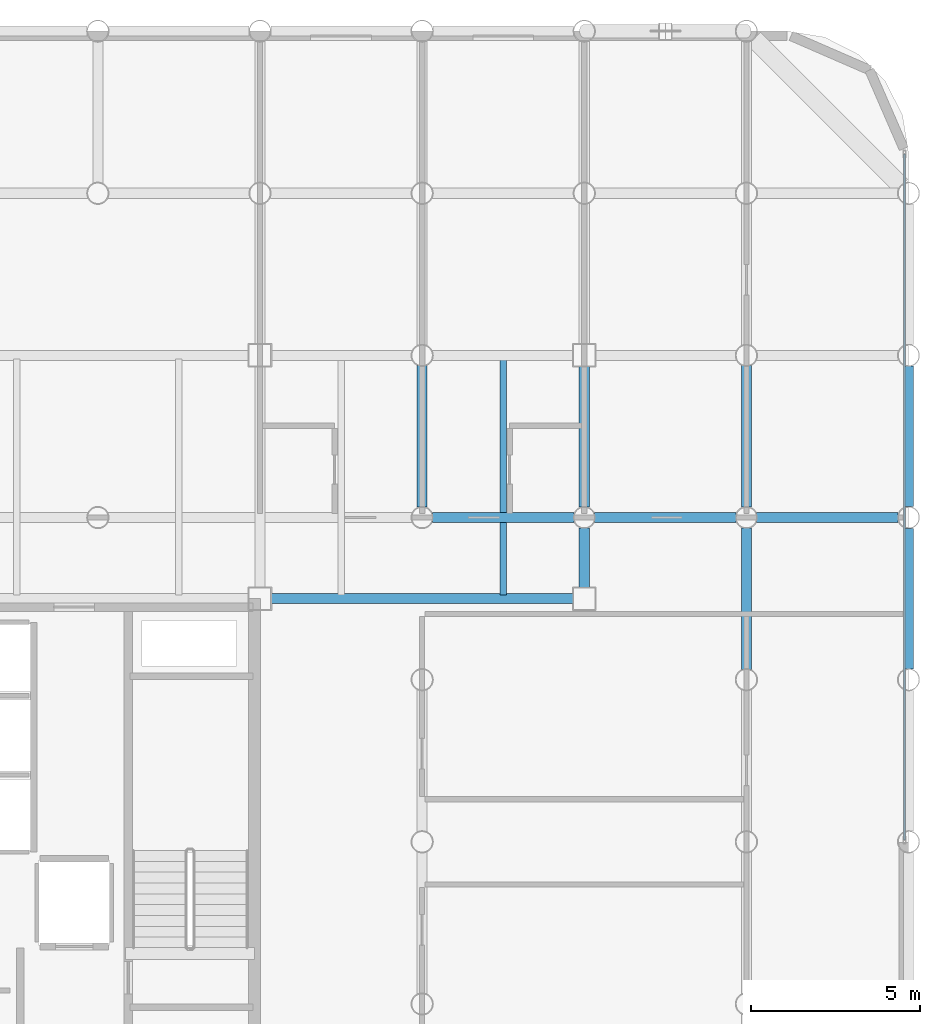
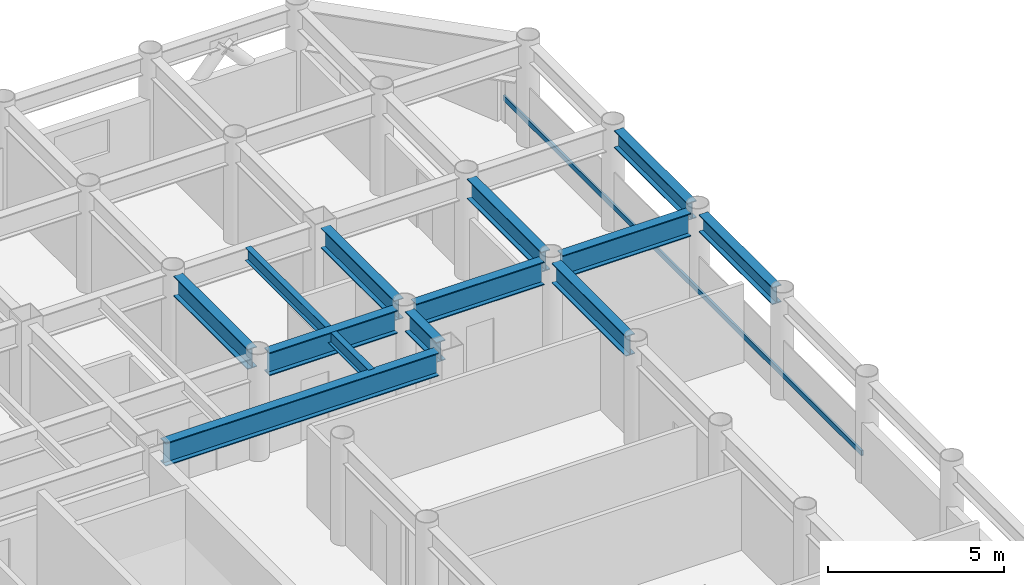
# One storey, part 9 of 20: 12 beams, 1 member, 1 element without a shape of its own.
"""IFC4 building model written with IfcOpenShell, lengths in metres."""

from ifc_helpers import new_model, si_unit, direction, frame, origin, origin_2d, place, context, subcontext, project, spatial, hollow_rectangle, i_section, extrude, material, layer, layer_set, material_profile, profile_set, type_object, element, aggregate, save


model = new_model("IFC4")

# Units and contexts
model_context = context("Model", 3, precision=1e-05, world=origin(), true_north=direction((0.0, 1.0)))
body_context = subcontext(model_context, "Body", "Model", "MODEL_VIEW")
ifc_project = project(units=[si_unit("LENGTHUNIT", "METRE"), si_unit("AREAUNIT", "SQUARE_METRE"), si_unit("VOLUMEUNIT", "CUBIC_METRE"), si_unit("PLANEANGLEUNIT", "RADIAN"), si_unit("MASSUNIT", "GRAM", prefix="KILO")], contexts=[model_context])

# Site, building, storey
site_placement = place(None, origin())
site = spatial("IfcSite", under=ifc_project, at=site_placement, CompositionType="ELEMENT")
building_placement = place(site_placement, origin())
building = spatial("IfcBuilding", under=site, at=building_placement, Name="Kallvorn Hotel Tower", CompositionType="ELEMENT")
storey_placement = place(building_placement, frame((0.0, 0.0, 98.89990234375)))
storey = spatial("IfcBuildingStorey", under=building, at=storey_placement, Name="L23", CompositionType="ELEMENT", Elevation=98.89990234375)

# Beams
ifc_material_1 = material(Name="Structural steel S355JR", Category="steel")
ifc_material_profile_1 = material_profile(ifc_material_1, i_section(OverallWidth=0.300048828125, OverallDepth=0.60009765625, WebThickness=0.015380859375, FlangeThickness=0.030029296875, at=origin_2d()), Name="HE 600 B")
ifc_profile_set_1 = profile_set([ifc_material_profile_1], Name="Structural steel S355JR")
beam_type_1 = type_object("IfcBeamType", Name="BM_HE600B", PredefinedType="SPANDREL", material=ifc_profile_set_1)
beam_1_placement = place(storey_placement, frame((33.60009765625, 5.1201171875, 3.22021484375), z_axis=(0.0, 1.0, 0.0), x_axis=(-1.0, 0.0, 0.0)))
element("IfcBeam", 1, at=beam_1_placement, inside=storey, type_object=beam_type_1, Name="L24 Perimeter Spandrel 186", PredefinedType="SPANDREL", context=body_context, shape_type="SweptSolid", body=[
    extrude(i_section(OverallWidth=0.300048828125, OverallDepth=0.60009765625, WebThickness=0.015380859375, FlangeThickness=0.030029296875, at=origin_2d()), origin(), (0.0, 0.0, 1.0), 4.159912109375),
])
beam_2_placement = place(storey_placement, frame((33.60009765625, 9.919921875, 3.22021484375), z_axis=(0.0, 1.0, 0.0), x_axis=(-1.0, 0.0, 0.0)))
element("IfcBeam", 2, at=beam_2_placement, inside=storey, type_object=beam_type_1, Name="L24 Perimeter Spandrel 187", PredefinedType="SPANDREL", context=body_context, shape_type="SweptSolid", body=[
    extrude(i_section(OverallWidth=0.300048828125, OverallDepth=0.60009765625, WebThickness=0.015380859375, FlangeThickness=0.030029296875, at=origin_2d()), origin(), (0.0, 0.0, 1.0), 4.16015625),
])
ifc_material_2 = material(Name="Structural steel S355JR", Category="steel")
ifc_material_profile_2 = material_profile(ifc_material_2, i_section(OverallWidth=0.300048828125, OverallDepth=0.699951171875, WebThickness=0.01708984375, FlangeThickness=0.031982421875, at=origin_2d()), Name="HE 700 B")
ifc_profile_set_2 = profile_set([ifc_material_profile_2], Name="Structural steel S355JR")
beam_type_2 = type_object("IfcBeamType", Name="BM_HE700B", PredefinedType="BEAM", material=ifc_profile_set_2)
beam_3_placement = place(storey_placement, frame((19.199951171875, 9.905029296875, 3.170166015625), z_axis=(0.0, 1.0, 0.0), x_axis=(-1.0, 0.0, 0.0)))
element("IfcBeam", 3, at=beam_3_placement, inside=storey, type_object=beam_type_2, Name="L24 Primary Y-Girder 132", PredefinedType="BEAM", context=body_context, shape_type="SweptSolid", body=[
    extrude(i_section(OverallWidth=0.300048828125, OverallDepth=0.699951171875, WebThickness=0.01708984375, FlangeThickness=0.031982421875, at=origin_2d()), origin(), (0.0, 0.0, 1.0), 4.18994140625),
])
beam_4_placement = place(storey_placement, frame((24.0, 7.52490234375, 3.170166015625), z_axis=(0.0, 1.0, 0.0), x_axis=(-1.0, 0.0, 0.0)))
element("IfcBeam", 4, at=beam_4_placement, inside=storey, type_object=beam_type_2, Name="L24 Primary Y-Girder 138", PredefinedType="BEAM", context=body_context, shape_type="SweptSolid", body=[
    extrude(i_section(OverallWidth=0.300048828125, OverallDepth=0.699951171875, WebThickness=0.01708984375, FlangeThickness=0.031982421875, at=origin_2d()), origin(), (0.0, 0.0, 1.0), 1.77001953125),
])
beam_5_placement = place(storey_placement, frame((24.0, 9.905029296875, 3.170166015625), z_axis=(0.0, 1.0, 0.0), x_axis=(-1.0, 0.0, 0.0)))
element("IfcBeam", 5, at=beam_5_placement, inside=storey, type_object=beam_type_2, Name="L24 Primary Y-Girder 139", PredefinedType="BEAM", context=body_context, shape_type="SweptSolid", body=[
    extrude(i_section(OverallWidth=0.300048828125, OverallDepth=0.699951171875, WebThickness=0.01708984375, FlangeThickness=0.031982421875, at=origin_2d()), origin(), (0.0, 0.0, 1.0), 4.169921875),
])
for number, where, z_axis, x_axis, name in (
    (6, (28.800048828125, 5.10498046875, 3.170166015625), (0.0, 1.0, 0.0), (-1.0, 0.0, 0.0), "L24 Primary Y-Girder 147"),
    (7, (28.800048828125, 9.905029296875, 3.170166015625), (0.0, 1.0, 0.0), (-1.0, 0.0, 0.0), "L24 Primary Y-Girder 148"),
):
    element("IfcBeam", number, at=place(storey_placement, frame(where, z_axis=z_axis, x_axis=x_axis)), inside=storey, type_object=beam_type_2, Name=name, PredefinedType="BEAM", context=body_context, shape_type="SweptSolid", body=[
        extrude(i_section(OverallWidth=0.300048828125, OverallDepth=0.699951171875, WebThickness=0.01708984375, FlangeThickness=0.031982421875, at=origin_2d()), origin(), (0.0, 0.0, 1.0), 4.18994140625),
    ])
ifc_material_3 = material(Name="Structural steel S355JR", Category="steel")
ifc_material_profile_3 = material_profile(ifc_material_3, i_section(OverallWidth=0.300048828125, OverallDepth=0.800048828125, WebThickness=0.017578125, FlangeThickness=0.032958984375, at=origin_2d()), Name="HE 800 B")
ifc_profile_set_3 = profile_set([ifc_material_profile_3], Name="Structural steel S355JR")
beam_type_3 = type_object("IfcBeamType", Name="BM_HE800B", PredefinedType="BEAM", material=ifc_profile_set_3)
beam_6_placement = place(storey_placement, frame((14.72509765625, 7.199951171875, 3.1201171875), z_axis=(1.0, 0.0, 0.0), x_axis=(0.0, 1.0, 0.0)))
element("IfcBeam", 8, at=beam_6_placement, inside=storey, type_object=beam_type_3, Name="L24 Primary X-Girder 40", PredefinedType="BEAM", context=body_context, shape_type="SweptSolid", body=[
    extrude(i_section(OverallWidth=0.300048828125, OverallDepth=0.800048828125, WebThickness=0.017578125, FlangeThickness=0.032958984375, at=origin_2d()), origin(), (0.0, 0.0, 1.0), 8.949951171875),
])
for number, where, z_axis, x_axis, name in (
    (9, (19.5048828125, 9.60009765625, 3.1201171875), (1.0, 0.0, 0.0), (0.0, 1.0, 0.0), "L24 Primary X-Girder 47"),
    (10, (24.304931640625, 9.60009765625, 3.1201171875), (1.0, 0.0, 0.0), (0.0, 1.0, 0.0), "L24 Primary X-Girder 48"),
):
    element("IfcBeam", number, at=place(storey_placement, frame(where, z_axis=z_axis, x_axis=x_axis)), inside=storey, type_object=beam_type_3, Name=name, PredefinedType="BEAM", context=body_context, shape_type="SweptSolid", body=[
        extrude(i_section(OverallWidth=0.300048828125, OverallDepth=0.800048828125, WebThickness=0.017578125, FlangeThickness=0.032958984375, at=origin_2d()), origin(), (0.0, 0.0, 1.0), 4.190185546875),
    ])
beam_7_placement = place(storey_placement, frame((29.10498046875, 9.60009765625, 3.1201171875), z_axis=(1.0, 0.0, 0.0), x_axis=(0.0, 1.0, 0.0)))
element("IfcBeam", 11, at=beam_7_placement, inside=storey, type_object=beam_type_3, Name="L24 Primary X-Girder 49", PredefinedType="BEAM", context=body_context, shape_type="SweptSolid", body=[
    extrude(i_section(OverallWidth=0.300048828125, OverallDepth=0.800048828125, WebThickness=0.017578125, FlangeThickness=0.032958984375, at=origin_2d()), origin(), (0.0, 0.0, 1.0), 4.18994140625),
])
ifc_material_4 = material(Name="Structural steel S355JR", Category="steel")
ifc_material_profile_4 = material_profile(ifc_material_4, i_section(OverallWidth=0.18994140625, OverallDepth=0.449951171875, WebThickness=0.009521484375, FlangeThickness=0.0146484375, at=origin_2d()), Name="IPE 450")
ifc_profile_set_4 = profile_set([ifc_material_profile_4], Name="Structural steel S355JR")
beam_type_4 = type_object("IfcBeamType", Name="BM_IPE450", PredefinedType="JOIST", material=ifc_profile_set_4)
beam_8_placement = place(storey_placement, frame((21.60009765625, 7.300048828125, 3.295166015625), z_axis=(0.0, 1.0, 0.0), x_axis=(-1.0, 0.0, 0.0)))
element("IfcBeam", 12, at=beam_8_placement, inside=storey, type_object=beam_type_4, Name="L24 Secondary Composite Joist 209", PredefinedType="JOIST", context=body_context, shape_type="SweptSolid", body=[
    extrude(i_section(OverallWidth=0.18994140625, OverallDepth=0.449951171875, WebThickness=0.009521484375, FlangeThickness=0.0146484375, at=origin_2d()), origin(), (0.0, 0.0, 1.0), 7.0),
])

# Curtain wall, member
ifc_material_5 = material(Name="Thermally broken black-anodised aluminium AA 6063-T6", Category="aluminium")
ifc_layer = layer(ifc_material_5, 0.199951171875)
ifc_layer_set = layer_set([ifc_layer], Name="CW_SYS_3_HOTEL_LOW")
curtain_wall_type = type_object("IfcCurtainWallType", Name="CW_SYS_3_HOTEL_LOW", PredefinedType="USERDEFINED", material=ifc_layer_set)
curtain_wall_placement = place(storey_placement, origin())
curtain_wall = element("IfcCurtainWall", 13, at=curtain_wall_placement, inside=storey, type_object=curtain_wall_type, Name="L23 Dark-Glass Curtain Wall CW-L23-EN", ObjectType="UNITISED CURTAIN WALL", PredefinedType="USERDEFINED")
ifc_material_6 = material(Name="Thermally broken black-anodised aluminium AA 6063-T6", Category="aluminium")
ifc_material_profile_5 = material_profile(ifc_material_6, hollow_rectangle(XDim=0.070068359375, YDim=0.179931640625, WallThickness=0.00390625, at=origin_2d()), Name="TRN 180x70")
ifc_profile_set_5 = profile_set([ifc_material_profile_5], Name="Thermally broken black-anodised aluminium AA 6063-T6")
member_type = type_object("IfcMemberType", Name="CW_TRANSOM_180x70", PredefinedType="USERDEFINED", material=ifc_profile_set_5)
member_placement = place(storey_placement, frame((33.47998046875, 0.06005859375, 0.85009765625), z_axis=(0.0, 1.0, 0.0), x_axis=(-1.0, 0.0, 0.0)))
member = element("IfcMember", 14, at=member_placement, type_object=member_type, Name="CW-L23-EN Transom 00M", ObjectType="TRANSOM", PredefinedType="USERDEFINED", context=body_context, shape_type="SweptSolid", body=[
    extrude(hollow_rectangle(XDim=0.070068359375, YDim=0.179931640625, WallThickness=0.00390625, at=origin_2d()), origin(), (0.0, 0.0, 1.0), 20.300048828125),
])
aggregate(curtain_wall, [member])

save(model, "model.ifc")
